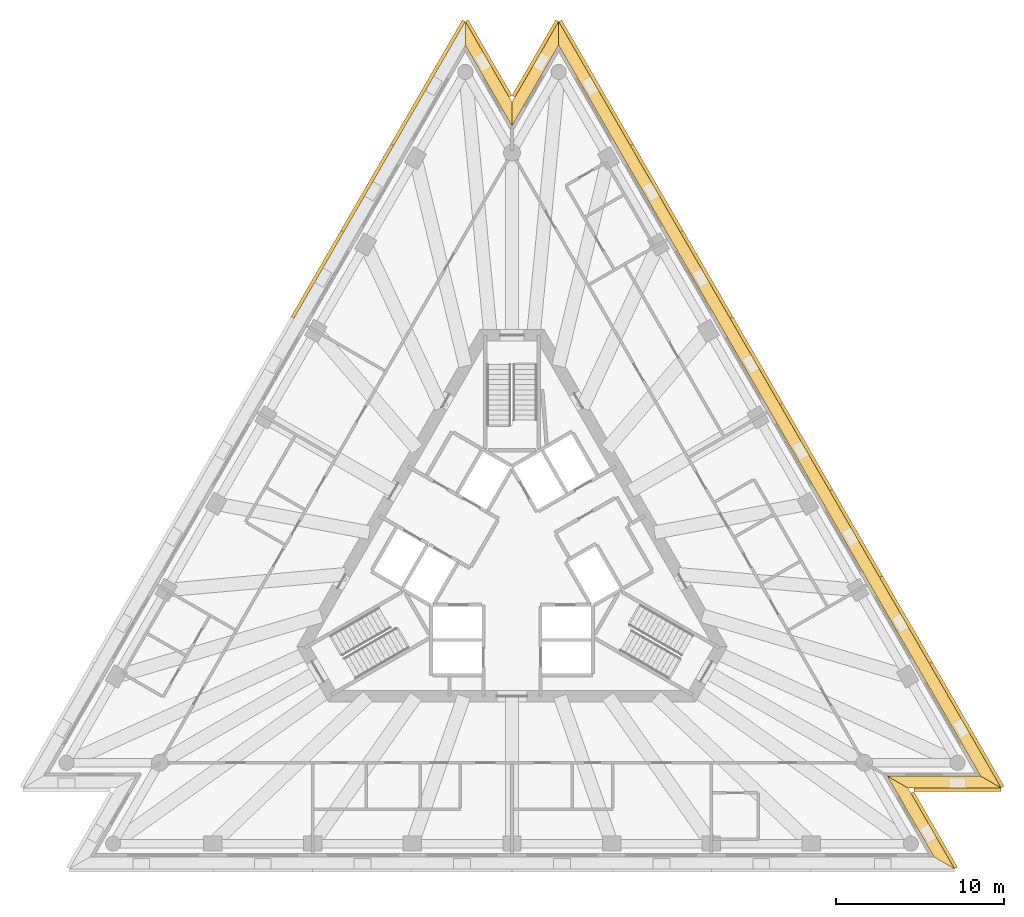
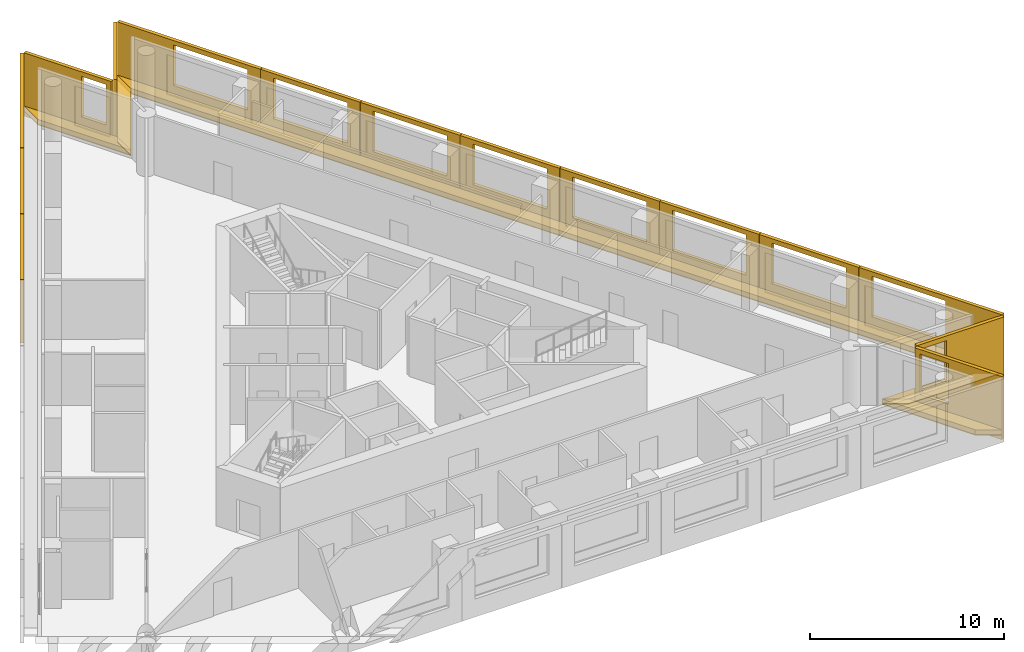
# One storey, part 9 of 9: 20 shading devices, 5 coverings.
"""IFC4 building model written with IfcOpenShell, lengths in metres."""

from ifc_helpers import new_model, si_unit, direction, frame, origin, place, context, subcontext, project, spatial, polyline, outline, extrude, material, layer, layer_set, layer_usage, type_object, element, save


model = new_model("IFC4")

# Units and contexts
model_context = context("Model", 3, precision=1e-05, world=origin(), true_north=direction((0.0, 1.0)))
body_context = subcontext(model_context, "Body", "Model", "MODEL_VIEW")
ifc_project = project(units=[si_unit("LENGTHUNIT", "METRE"), si_unit("AREAUNIT", "SQUARE_METRE"), si_unit("VOLUMEUNIT", "CUBIC_METRE"), si_unit("PLANEANGLEUNIT", "RADIAN"), si_unit("MASSUNIT", "GRAM", prefix="KILO")], contexts=[model_context])

# Site, building, storey
site_placement = place(None, origin())
site = spatial("IfcSite", under=ifc_project, at=site_placement, CompositionType="ELEMENT")
building_placement = place(site_placement, origin())
building = spatial("IfcBuilding", under=site, at=building_placement, Name="Triada Interchange Tower", CompositionType="ELEMENT")
storey_placement = place(building_placement, frame((0.0, 0.0, 231.300048828125)))
storey = spatial("IfcBuildingStorey", under=building, at=storey_placement, Name="L54", CompositionType="ELEMENT", Elevation=231.300048828125)

# Coverings
ifc_material_1 = material(Name="Mineral fire-stop board")
ifc_layer_1 = layer(ifc_material_1, 0.0400390625, Name="Mineral fire-stop board")
ifc_material_2 = material(Name="Intumescent sealant")
ifc_layer_2 = layer(ifc_material_2, 0.010009765625, Name="Intumescent seal")
ifc_layer_set_1 = layer_set([ifc_layer_1, ifc_layer_2], Name="Cavity fire stop")
ifc_layer_usage = layer_usage(ifc_layer_set_1, "AXIS3", "POSITIVE", 0.0)
covering_type = type_object("IfcCoveringType", Name="Cavity fire stop", PredefinedType="INSULATION", material=ifc_layer_set_1)
covering_1_placement = place(storey_placement, origin())
element("IfcCovering", 1, at=covering_1_placement, inside=storey, type_object=covering_type, material=ifc_layer_usage, Name="Cavity fire stop L54 SE-1", PredefinedType="INSULATION", context=body_context, shape_type="SweptSolid", body=[
    extrude(outline(polyline([(25.132080078125, -17.717041015625), (26.343994140625, -18.4169921875), (23.56689453125, -13.60595703125), (22.35498046875, -12.906005859375), (25.132080078125, -17.717041015625)])), origin(), (0.0, 0.0, 1.0), 0.050048828125),
])
covering_2_placement = place(storey_placement, origin())
element("IfcCovering", 2, at=covering_2_placement, inside=storey, type_object=covering_type, material=ifc_layer_usage, Name="Cavity fire stop L54 SE-2", PredefinedType="INSULATION", context=body_context, shape_type="SweptSolid", body=[
    extrude(outline(polyline([(22.35498046875, -12.906005859375), (23.56689453125, -13.60595703125), (29.1220703125, -13.60595703125), (27.909912109375, -12.906005859375), (22.35498046875, -12.906005859375)])), origin(), (0.0, 0.0, 1.0), 0.050048828125),
])
covering_3_placement = place(storey_placement, origin())
element("IfcCovering", 3, at=covering_3_placement, inside=storey, type_object=covering_type, material=ifc_layer_usage, Name="Cavity fire stop L54 NE", PredefinedType="INSULATION", context=body_context, shape_type="SweptSolid", body=[
    extrude(outline(polyline([(27.909912109375, -12.906005859375), (29.1220703125, -13.60595703125), (2.777099609375, 32.02294921875), (2.777099609375, 30.623046875), (27.909912109375, -12.906005859375)])), origin(), (0.0, 0.0, 1.0), 0.050048828125),
])
covering_4_placement = place(storey_placement, origin())
element("IfcCovering", 4, at=covering_4_placement, inside=storey, type_object=covering_type, material=ifc_layer_usage, Name="Cavity fire stop L54 N-1", PredefinedType="INSULATION", context=body_context, shape_type="SweptSolid", body=[
    extrude(outline(polyline([(2.777099609375, 30.623046875), (2.777099609375, 32.02294921875), (0.0, 27.212890625), (0.0, 25.81298828125), (2.777099609375, 30.623046875)])), origin(), (0.0, 0.0, 1.0), 0.050048828125),
])
covering_5_placement = place(storey_placement, origin())
element("IfcCovering", 5, at=covering_5_placement, inside=storey, type_object=covering_type, material=ifc_layer_usage, Name="Cavity fire stop L54 N-2", PredefinedType="INSULATION", context=body_context, shape_type="SweptSolid", body=[
    extrude(outline(polyline([(0.0, 25.81298828125), (0.0, 27.212890625), (-2.777099609375, 32.02294921875), (-2.777099609375, 30.623046875), (0.0, 25.81298828125)])), origin(), (0.0, 0.0, 1.0), 0.050048828125),
])

# Shading devices
ifc_material_3 = material(Name="Aluminium louvre", Category="aluminium")
shading_device_type_1 = type_object("IfcShadingDeviceType", Name="Cavity louvre grille", PredefinedType="JALOUSIE", material=ifc_material_3)
shading_device_1_placement = place(storey_placement, frame((0.0, 0.0, 0.050048828125)))
element("IfcShadingDevice", 6, at=shading_device_1_placement, inside=storey, type_object=shading_device_type_1, Name="Cavity louvre grille L54 SE-1", PredefinedType="JALOUSIE", context=body_context, shape_type="SweptSolid", body=[
    extrude(outline(polyline([(25.132080078125, -17.717041015625), (26.343994140625, -18.4169921875), (23.56689453125, -13.60595703125), (22.35498046875, -12.906005859375), (25.132080078125, -17.717041015625)])), origin(), (0.0, 0.0, 1.0), 0.2998046875),
])
shading_device_2_placement = place(storey_placement, frame((0.0, 0.0, 0.050048828125)))
element("IfcShadingDevice", 7, at=shading_device_2_placement, inside=storey, type_object=shading_device_type_1, Name="Cavity louvre grille L54 SE-2", PredefinedType="JALOUSIE", context=body_context, shape_type="SweptSolid", body=[
    extrude(outline(polyline([(22.35498046875, -12.906005859375), (23.56689453125, -13.60595703125), (29.1220703125, -13.60595703125), (27.909912109375, -12.906005859375), (22.35498046875, -12.906005859375)])), origin(), (0.0, 0.0, 1.0), 0.2998046875),
])
shading_device_3_placement = place(storey_placement, frame((0.0, 0.0, 0.050048828125)))
element("IfcShadingDevice", 8, at=shading_device_3_placement, inside=storey, type_object=shading_device_type_1, Name="Cavity louvre grille L54 NE", PredefinedType="JALOUSIE", context=body_context, shape_type="SweptSolid", body=[
    extrude(outline(polyline([(27.909912109375, -12.906005859375), (29.1220703125, -13.60595703125), (2.777099609375, 32.02294921875), (2.777099609375, 30.623046875), (27.909912109375, -12.906005859375)])), origin(), (0.0, 0.0, 1.0), 0.2998046875),
])
shading_device_4_placement = place(storey_placement, frame((0.0, 0.0, 0.050048828125)))
element("IfcShadingDevice", 9, at=shading_device_4_placement, inside=storey, type_object=shading_device_type_1, Name="Cavity louvre grille L54 N-1", PredefinedType="JALOUSIE", context=body_context, shape_type="SweptSolid", body=[
    extrude(outline(polyline([(2.777099609375, 30.623046875), (2.777099609375, 32.02294921875), (0.0, 27.212890625), (0.0, 25.81298828125), (2.777099609375, 30.623046875)])), origin(), (0.0, 0.0, 1.0), 0.2998046875),
])
shading_device_5_placement = place(storey_placement, frame((0.0, 0.0, 0.050048828125)))
element("IfcShadingDevice", 10, at=shading_device_5_placement, inside=storey, type_object=shading_device_type_1, Name="Cavity louvre grille L54 N-2", PredefinedType="JALOUSIE", context=body_context, shape_type="SweptSolid", body=[
    extrude(outline(polyline([(0.0, 25.81298828125), (0.0, 27.212890625), (-2.777099609375, 32.02294921875), (-2.777099609375, 30.623046875), (0.0, 25.81298828125)])), origin(), (0.0, 0.0, 1.0), 0.2998046875),
])
ifc_material_4 = material(Name="Concrete C50/60 precast", Category="concrete")
ifc_layer_3 = layer(ifc_material_4, 0.02001953125, Name="Exposed aggregate face")
ifc_layer_4 = layer(ifc_material_4, 0.179931640625, Name="Precast concrete screen")
ifc_layer_set_2 = layer_set([ifc_layer_3, ifc_layer_4], Name="Outer skin screen panel 3980")
shading_device_type_2 = type_object("IfcShadingDeviceType", Name="Outer skin screen panel 3980", PredefinedType="SHUTTER", material=ifc_layer_set_2)
shading_device_6_placement = place(storey_placement, frame((-2.781982421875, 32.013916015625, -0.2900390625), z_axis=(0.0, 0.0, 1.0), x_axis=(-0.500034394802, -0.866005545026, 0.0)))
element("IfcShadingDevice", 11, at=shading_device_6_placement, inside=storey, type_object=shading_device_type_2, Name="Outer skin screen panel L54 01", PredefinedType="SHUTTER", context=body_context, shape_type="SweptSolid", body=[
    extrude(outline(polyline([(0.0, 0.0), (8.513671875, 0.0), (8.513671875, 3.97998046875), (0.0, 3.97998046875), (0.0, 0.0)]), holes=[polyline([(3.356689453125, 1.139892578125), (3.356689453125, 3.68994140625), (7.756591796875, 3.68994140625), (7.756591796875, 1.139892578125), (3.356689453125, 1.139892578125)])]), frame((0.0, 0.0, 0.0), z_axis=(0.0, -1.0, 0.0), x_axis=(1.0, 0.0, 0.0)), (0.0, 0.0, 1.0), 0.199951171875),
])
shading_device_7_placement = place(storey_placement, frame((-7.049072265625, 24.623046875, -0.2900390625), z_axis=(0.0, 0.0, 1.0), x_axis=(-0.500079606793, -0.865979437902, 0.0)))
element("IfcShadingDevice", 12, at=shading_device_7_placement, inside=storey, type_object=shading_device_type_2, Name="Outer skin screen panel L54 02", PredefinedType="SHUTTER", context=body_context, shape_type="SweptSolid", body=[
    extrude(outline(polyline([(0.0, 0.0), (5.9169921875, 0.0), (5.9169921875, 3.97998046875), (0.0, 3.97998046875), (0.0, 0.0)]), holes=[polyline([(0.758056640625, 1.139892578125), (0.758056640625, 3.68994140625), (5.157958984375, 3.68994140625), (5.157958984375, 1.139892578125), (0.758056640625, 1.139892578125)])]), frame((0.0, 0.0, 0.0), z_axis=(0.0, -1.0, 0.0), x_axis=(1.0, 0.0, 0.0)), (0.0, 0.0, 1.0), 0.199951171875),
])
shading_device_8_placement = place(storey_placement, frame((-10.01806640625, 19.48193359375, -0.2900390625), z_axis=(0.0, 0.0, 1.0), x_axis=(-0.499955822529, -0.866050908157, 0.0)))
element("IfcShadingDevice", 13, at=shading_device_8_placement, inside=storey, type_object=shading_device_type_2, Name="Outer skin screen panel L54 03", PredefinedType="SHUTTER", context=body_context, shape_type="SweptSolid", body=[
    extrude(outline(polyline([(0.0, 0.0), (5.91650390625, 0.0), (5.91650390625, 3.97998046875), (0.0, 3.97998046875), (0.0, 0.0)]), holes=[polyline([(0.758544921875, 1.139892578125), (0.758544921875, 3.68994140625), (5.158447265625, 3.68994140625), (5.158447265625, 1.139892578125), (0.758544921875, 1.139892578125)])]), frame((0.0, 0.0, 0.0), z_axis=(0.0, -1.0, 0.0), x_axis=(1.0, 0.0, 0.0)), (0.0, 0.0, 1.0), 0.199951171875),
])
shading_device_9_placement = place(storey_placement, frame((26.339111328125, -18.407958984375, -0.2900390625), z_axis=(0.0, 0.0, 1.0), x_axis=(-0.499919314206, 0.866071982738, 0.0)))
element("IfcShadingDevice", 14, at=shading_device_9_placement, inside=storey, type_object=shading_device_type_2, Name="Outer skin screen panel L54 19", PredefinedType="SHUTTER", context=body_context, shape_type="SweptSolid", body=[
    extrude(outline(polyline([(0.0, 0.0), (5.188720703125, 0.0), (5.188720703125, 3.97998046875), (0.0, 3.97998046875), (0.0, 0.0)]), holes=[polyline([(3.17529296875, 1.139892578125), (3.17529296875, 3.68994140625), (4.888916015625, 3.68994140625), (4.888916015625, 1.139892578125), (3.17529296875, 1.139892578125)])]), frame((0.0, 0.0, 0.0), z_axis=(0.0, -1.0, 0.0), x_axis=(1.0, 0.0, 0.0)), (0.0, 0.0, 1.0), 0.199951171875),
])
shading_device_10_placement = place(storey_placement, frame((23.923095703125, -13.60595703125, -0.2900390625), z_axis=(0.0, 0.0, 1.0), x_axis=(1.0, 0.0, 0.0)))
element("IfcShadingDevice", 15, at=shading_device_10_placement, inside=storey, type_object=shading_device_type_2, Name="Outer skin screen panel L54 20", PredefinedType="SHUTTER", context=body_context, shape_type="SweptSolid", body=[
    extrude(outline(polyline([(0.0, 0.0), (5.18896484375, 0.0), (5.18896484375, 3.97998046875), (0.0, 3.97998046875), (0.0, 0.0)]), holes=[polyline([(0.300048828125, 1.139892578125), (0.300048828125, 3.68994140625), (1.759033203125, 3.68994140625), (1.759033203125, 1.139892578125), (0.300048828125, 1.139892578125)])]), frame((0.0, 0.0, 0.0), z_axis=(0.0, -1.0, 0.0), x_axis=(1.0, 0.0, 0.0)), (0.0, 0.0, 1.0), 0.199951171875),
])
shading_device_11_placement = place(storey_placement, frame((29.116943359375, -13.596923828125, -0.2900390625), z_axis=(0.0, 0.0, 1.0), x_axis=(-0.499950805595, 0.866053804324, 0.0)))
element("IfcShadingDevice", 16, at=shading_device_11_placement, inside=storey, type_object=shading_device_type_2, Name="Outer skin screen panel L54 21", PredefinedType="SHUTTER", context=body_context, shape_type="SweptSolid", body=[
    extrude(outline(polyline([(0.0, 0.0), (8.514404296875, 0.0), (8.514404296875, 3.97998046875), (0.0, 3.97998046875), (0.0, 0.0)]), holes=[polyline([(3.356201171875, 1.139892578125), (3.356201171875, 3.68994140625), (7.75634765625, 3.68994140625), (7.75634765625, 1.139892578125), (3.356201171875, 1.139892578125)])]), frame((0.0, 0.0, 0.0), z_axis=(0.0, -1.0, 0.0), x_axis=(1.0, 0.0, 0.0)), (0.0, 0.0, 1.0), 0.199951171875),
])
shading_device_12_placement = place(storey_placement, frame((24.85009765625, -6.2060546875, -0.2900390625), z_axis=(0.0, 0.0, 1.0), x_axis=(-0.500079606793, 0.865979437902, 0.0)))
element("IfcShadingDevice", 17, at=shading_device_12_placement, inside=storey, type_object=shading_device_type_2, Name="Outer skin screen panel L54 22", PredefinedType="SHUTTER", context=body_context, shape_type="SweptSolid", body=[
    extrude(outline(polyline([(0.0, 0.0), (5.9169921875, 0.0), (5.9169921875, 3.97998046875), (0.0, 3.97998046875), (0.0, 0.0)]), holes=[polyline([(0.7587890625, 1.139892578125), (0.7587890625, 3.68994140625), (5.15869140625, 3.68994140625), (5.15869140625, 1.139892578125), (0.7587890625, 1.139892578125)])]), frame((0.0, 0.0, 0.0), z_axis=(0.0, -1.0, 0.0), x_axis=(1.0, 0.0, 0.0)), (0.0, 0.0, 1.0), 0.199951171875),
])
shading_device_13_placement = place(storey_placement, frame((21.881103515625, -1.06494140625, -0.2900390625), z_axis=(0.0, 0.0, 1.0), x_axis=(-0.499955822529, 0.866050908157, 0.0)))
element("IfcShadingDevice", 18, at=shading_device_13_placement, inside=storey, type_object=shading_device_type_2, Name="Outer skin screen panel L54 23", PredefinedType="SHUTTER", context=body_context, shape_type="SweptSolid", body=[
    extrude(outline(polyline([(0.0, 0.0), (5.91650390625, 0.0), (5.91650390625, 3.97998046875), (0.0, 3.97998046875), (0.0, 0.0)]), holes=[polyline([(0.75830078125, 1.139892578125), (0.75830078125, 3.68994140625), (5.158203125, 3.68994140625), (5.158203125, 1.139892578125), (0.75830078125, 1.139892578125)])]), frame((0.0, 0.0, 0.0), z_axis=(0.0, -1.0, 0.0), x_axis=(1.0, 0.0, 0.0)), (0.0, 0.0, 1.0), 0.199951171875),
])
shading_device_14_placement = place(storey_placement, frame((18.9130859375, 4.075927734375, -0.2900390625), z_axis=(0.0, 0.0, 1.0), x_axis=(-0.499955822529, 0.866050908157, 0.0)))
element("IfcShadingDevice", 19, at=shading_device_14_placement, inside=storey, type_object=shading_device_type_2, Name="Outer skin screen panel L54 24", PredefinedType="SHUTTER", context=body_context, shape_type="SweptSolid", body=[
    extrude(outline(polyline([(0.0, 0.0), (5.91650390625, 0.0), (5.91650390625, 3.97998046875), (0.0, 3.97998046875), (0.0, 0.0)]), holes=[polyline([(0.758544921875, 1.139892578125), (0.758544921875, 3.68994140625), (5.15869140625, 3.68994140625), (5.15869140625, 1.139892578125), (0.758544921875, 1.139892578125)])]), frame((0.0, 0.0, 0.0), z_axis=(0.0, -1.0, 0.0), x_axis=(1.0, 0.0, 0.0)), (0.0, 0.0, 1.0), 0.199951171875),
])
shading_device_15_placement = place(storey_placement, frame((15.945068359375, 9.217041015625, -0.2900390625), z_axis=(0.0, 0.0, 1.0), x_axis=(-0.500079606793, 0.865979437902, 0.0)))
element("IfcShadingDevice", 20, at=shading_device_15_placement, inside=storey, type_object=shading_device_type_2, Name="Outer skin screen panel L54 25", PredefinedType="SHUTTER", context=body_context, shape_type="SweptSolid", body=[
    extrude(outline(polyline([(0.0, 0.0), (5.9169921875, 0.0), (5.9169921875, 3.97998046875), (0.0, 3.97998046875), (0.0, 0.0)]), holes=[polyline([(0.758056640625, 1.139892578125), (0.758056640625, 3.68994140625), (5.158203125, 3.68994140625), (5.158203125, 1.139892578125), (0.758056640625, 1.139892578125)])]), frame((0.0, 0.0, 0.0), z_axis=(0.0, -1.0, 0.0), x_axis=(1.0, 0.0, 0.0)), (0.0, 0.0, 1.0), 0.199951171875),
])
shading_device_16_placement = place(storey_placement, frame((12.97607421875, 14.35791015625, -0.2900390625), z_axis=(0.0, 0.0, 1.0), x_axis=(-0.499955822529, 0.866050908157, 0.0)))
element("IfcShadingDevice", 21, at=shading_device_16_placement, inside=storey, type_object=shading_device_type_2, Name="Outer skin screen panel L54 26", PredefinedType="SHUTTER", context=body_context, shape_type="SweptSolid", body=[
    extrude(outline(polyline([(0.0, 0.0), (5.91650390625, 0.0), (5.91650390625, 3.97998046875), (0.0, 3.97998046875), (0.0, 0.0)]), holes=[polyline([(0.758544921875, 1.139892578125), (0.758544921875, 3.68994140625), (5.15869140625, 3.68994140625), (5.15869140625, 1.139892578125), (0.758544921875, 1.139892578125)])]), frame((0.0, 0.0, 0.0), z_axis=(0.0, -1.0, 0.0), x_axis=(1.0, 0.0, 0.0)), (0.0, 0.0, 1.0), 0.199951171875),
])
shading_device_17_placement = place(storey_placement, frame((10.008056640625, 19.4990234375, -0.2900390625), z_axis=(0.0, 0.0, 1.0), x_axis=(-0.500079606793, 0.865979437902, 0.0)))
element("IfcShadingDevice", 22, at=shading_device_17_placement, inside=storey, type_object=shading_device_type_2, Name="Outer skin screen panel L54 27", PredefinedType="SHUTTER", context=body_context, shape_type="SweptSolid", body=[
    extrude(outline(polyline([(0.0, 0.0), (5.9169921875, 0.0), (5.9169921875, 3.97998046875), (0.0, 3.97998046875), (0.0, 0.0)]), holes=[polyline([(0.758056640625, 1.139892578125), (0.758056640625, 3.68994140625), (5.157958984375, 3.68994140625), (5.157958984375, 1.139892578125), (0.758056640625, 1.139892578125)])]), frame((0.0, 0.0, 0.0), z_axis=(0.0, -1.0, 0.0), x_axis=(1.0, 0.0, 0.0)), (0.0, 0.0, 1.0), 0.199951171875),
])
shading_device_18_placement = place(storey_placement, frame((7.0390625, 24.64111328125, -0.2900390625), z_axis=(0.0, 0.0, 1.0), x_axis=(-0.500034394802, 0.866005545026, 0.0)))
element("IfcShadingDevice", 23, at=shading_device_18_placement, inside=storey, type_object=shading_device_type_2, Name="Outer skin screen panel L54 28", PredefinedType="SHUTTER", context=body_context, shape_type="SweptSolid", body=[
    extrude(outline(polyline([(0.0, 0.0), (8.513671875, 0.0), (8.513671875, 3.97998046875), (0.0, 3.97998046875), (0.0, 0.0)]), holes=[polyline([(0.758544921875, 1.139892578125), (0.758544921875, 3.68994140625), (5.158447265625, 3.68994140625), (5.158447265625, 1.139892578125), (0.758544921875, 1.139892578125)])]), frame((0.0, 0.0, 0.0), z_axis=(0.0, -1.0, 0.0), x_axis=(1.0, 0.0, 0.0)), (0.0, 0.0, 1.0), 0.199951171875),
])
shading_device_19_placement = place(storey_placement, frame((2.77197265625, 32.013916015625, -0.2900390625), z_axis=(0.0, 0.0, 1.0), x_axis=(-0.500082331196, -0.865977864628, 0.0)))
element("IfcShadingDevice", 24, at=shading_device_19_placement, inside=storey, type_object=shading_device_type_2, Name="Outer skin screen panel L54 29", PredefinedType="SHUTTER", context=body_context, shape_type="SweptSolid", body=[
    extrude(outline(polyline([(0.0, 0.0), (5.187255859375, 0.0), (5.187255859375, 3.97998046875), (0.0, 3.97998046875), (0.0, 0.0)]), holes=[polyline([(3.175537109375, 1.139892578125), (3.175537109375, 3.68994140625), (4.8876953125, 3.68994140625), (4.8876953125, 1.139892578125), (3.175537109375, 1.139892578125)])]), frame((0.0, 0.0, 0.0), z_axis=(0.0, -1.0, 0.0), x_axis=(1.0, 0.0, 0.0)), (0.0, 0.0, 1.0), 0.199951171875),
])
shading_device_20_placement = place(storey_placement, frame((-0.177978515625, 27.52197265625, -0.2900390625), z_axis=(0.0, 0.0, 1.0), x_axis=(-0.500082331196, 0.865977864628, 0.0)))
element("IfcShadingDevice", 25, at=shading_device_20_placement, inside=storey, type_object=shading_device_type_2, Name="Outer skin screen panel L54 30", PredefinedType="SHUTTER", context=body_context, shape_type="SweptSolid", body=[
    extrude(outline(polyline([(0.0, 0.0), (5.187255859375, 0.0), (5.187255859375, 3.97998046875), (0.0, 3.97998046875), (0.0, 0.0)]), holes=[polyline([(0.300048828125, 1.139892578125), (0.300048828125, 3.68994140625), (1.7578125, 3.68994140625), (1.7578125, 1.139892578125), (0.300048828125, 1.139892578125)])]), frame((0.0, 0.0, 0.0), z_axis=(0.0, -1.0, 0.0), x_axis=(1.0, 0.0, 0.0)), (0.0, 0.0, 1.0), 0.199951171875),
])

save(model, "model.ifc")
